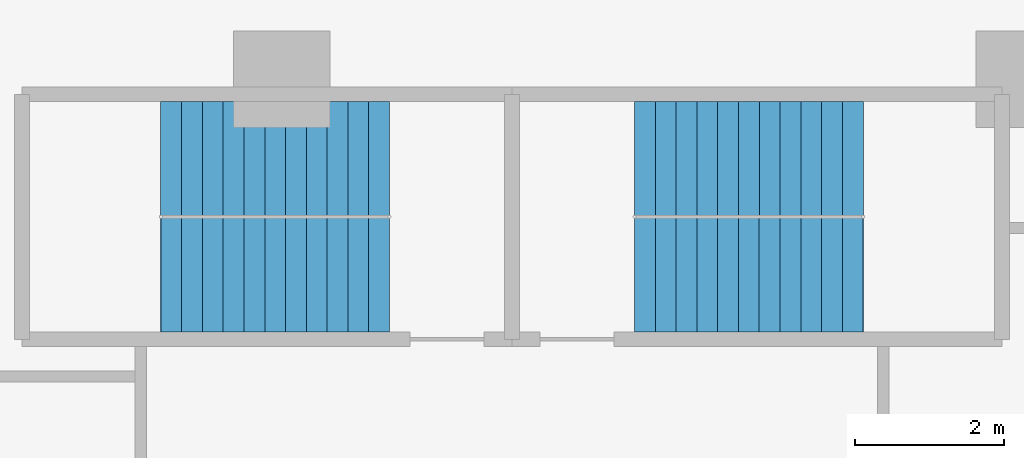
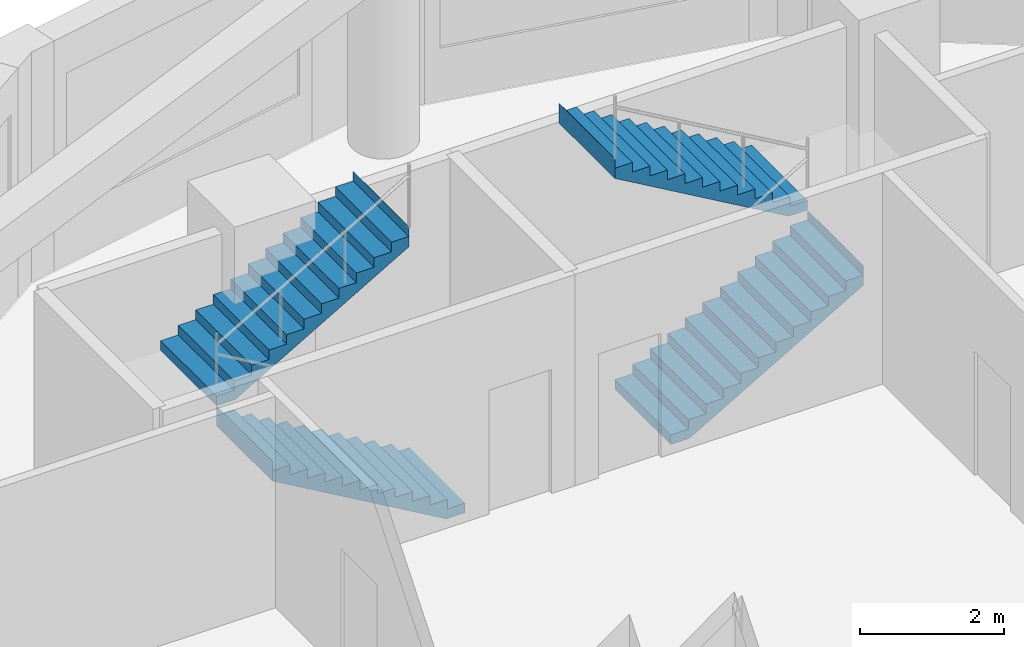
# One storey, part 7 of 9: 4 stair flights, 2 elements without a shape of their own.
"""IFC4 building model written with IfcOpenShell, lengths in metres."""

from ifc_helpers import new_model, si_unit, direction, frame, origin, place, context, subcontext, project, spatial, polyline, outline, extrude, material, type_object, element, aggregate, save


model = new_model("IFC4")

# Units and contexts
model_context = context("Model", 3, precision=1e-05, world=origin(), true_north=direction((0.0, 1.0)))
body_context = subcontext(model_context, "Body", "Model", "MODEL_VIEW")
ifc_project = project(units=[si_unit("LENGTHUNIT", "METRE"), si_unit("AREAUNIT", "SQUARE_METRE"), si_unit("VOLUMEUNIT", "CUBIC_METRE"), si_unit("PLANEANGLEUNIT", "RADIAN"), si_unit("MASSUNIT", "GRAM", prefix="KILO")], contexts=[model_context])

# Site, building, storey
site_placement = place(None, origin())
site = spatial("IfcSite", under=ifc_project, at=site_placement, CompositionType="ELEMENT")
building_placement = place(site_placement, origin())
building = spatial("IfcBuilding", under=site, at=building_placement, Name="Qaws Garden Tower", CompositionType="ELEMENT")
storey_placement = place(building_placement, frame((0.0, 0.0, 198.0)))
storey = spatial("IfcBuildingStorey", under=building, at=storey_placement, Name="L48", CompositionType="ELEMENT", Elevation=198.0)

# Stair, stair flights
ifc_material_1 = material(Name="Concrete C40", Category="concrete")
stair_type = type_object("IfcStairType", Name="Exit stair 1350", PredefinedType="HALF_TURN_STAIR", material=ifc_material_1)
placement = place(storey_placement, origin())
stair_1 = element("IfcStair", 1, at=placement, inside=storey, type_object=stair_type, Name="Stair 6", PredefinedType="HALF_TURN_STAIR")
ifc_material_2 = material(Name="Concrete C40", Category="concrete")
stair_flight_type = type_object("IfcStairFlightType", Name="Stair flight 1350", PredefinedType="STRAIGHT", material=ifc_material_2)
stair_flight_1_placement = place(storey_placement, frame((11.449951171875, 67.375, 0.0), z_axis=(0.0, 0.0, 1.0), x_axis=(-1.0, 0.0, 0.0)))
stair_flight_1 = element("IfcStairFlight", 2, at=stair_flight_1_placement, type_object=stair_flight_type, Name="ST6 flight 1", NumberOfRisers=12, NumberOfTreads=11, PredefinedType="STRAIGHT", RiserHeight=0.1625, TreadLength=0.28, context=body_context, shape_type="SweptSolid", body=[
    extrude(outline(polyline([(-0.0029296875, 0.0), (-0.0029296875, 0.16259765625), (0.0, 0.16259765625), (0.280029296875, 0.16259765625), (0.280029296875, 0.324951171875), (0.56005859375, 0.324951171875), (0.56005859375, 0.487548828125), (0.840087890625, 0.487548828125), (0.840087890625, 0.64990234375), (1.1201171875, 0.64990234375), (1.1201171875, 0.8125), (1.39990234375, 0.8125), (1.39990234375, 0.97509765625), (1.679931640625, 0.97509765625), (1.679931640625, 1.137451171875), (1.9599609375, 1.137451171875), (1.9599609375, 1.300048828125), (2.239990234375, 1.300048828125), (2.239990234375, 1.46240234375), (2.52001953125, 1.46240234375), (2.52001953125, 1.625), (2.800048828125, 1.625), (2.800048828125, 1.78759765625), (3.080078125, 1.78759765625), (3.080078125, 1.949951171875), (3.0830078125, 1.949951171875), (3.0830078125, 1.6142578125), (3.080078125, 1.6142578125), (0.298583984375, 0.0), (-0.0029296875, 0.0)])), frame((0.0, 0.77490234375, 0.0), z_axis=(0.0, -1.0, 0.0), x_axis=(1.0, 0.0, 0.0)), (0.0, 0.0, 1.0), 1.550048828125),
])
stair_flight_2_placement = place(storey_placement, frame((8.3701171875, 68.925048828125, 1.949951171875), z_axis=(0.0, 0.0, 1.0), x_axis=(1.0, 0.0, 0.0)))
stair_flight_2 = element("IfcStairFlight", 3, at=stair_flight_2_placement, type_object=stair_flight_type, Name="ST6 flight 2", NumberOfRisers=12, NumberOfTreads=11, PredefinedType="STRAIGHT", RiserHeight=0.1625, TreadLength=0.28, context=body_context, shape_type="SweptSolid", body=[
    extrude(outline(polyline([(-0.0029296875, 0.0), (-0.0029296875, 0.16259765625), (0.0, 0.16259765625), (0.280029296875, 0.16259765625), (0.280029296875, 0.324951171875), (0.56005859375, 0.324951171875), (0.56005859375, 0.487548828125), (0.840087890625, 0.487548828125), (0.840087890625, 0.64990234375), (1.1201171875, 0.64990234375), (1.1201171875, 0.8125), (1.39990234375, 0.8125), (1.39990234375, 0.97509765625), (1.679931640625, 0.97509765625), (1.679931640625, 1.137451171875), (1.9599609375, 1.137451171875), (1.9599609375, 1.300048828125), (2.239990234375, 1.300048828125), (2.239990234375, 1.46240234375), (2.52001953125, 1.46240234375), (2.52001953125, 1.625), (2.800048828125, 1.625), (2.800048828125, 1.78759765625), (3.080078125, 1.78759765625), (3.080078125, 1.949951171875), (3.0830078125, 1.949951171875), (3.0830078125, 1.6142578125), (3.080078125, 1.6142578125), (0.298583984375, 0.0), (-0.0029296875, 0.0)])), frame((0.0, 0.77490234375, 0.0), z_axis=(0.0, -1.0, 0.0), x_axis=(1.0, 0.0, 0.0)), (0.0, 0.0, 1.0), 1.550048828125),
])
aggregate(stair_1, [stair_flight_1, stair_flight_2])

stair_2 = element("IfcStair", 4, at=placement, inside=storey, type_object=stair_type, Name="Stair 7", PredefinedType="HALF_TURN_STAIR")
stair_flight_3_placement = place(storey_placement, frame((14.75, 67.375, 0.0), z_axis=(0.0, 0.0, 1.0), x_axis=(1.0, 0.0, 0.0)))
stair_flight_3 = element("IfcStairFlight", 5, at=stair_flight_3_placement, type_object=stair_flight_type, Name="ST7 flight 1", NumberOfRisers=12, NumberOfTreads=11, PredefinedType="STRAIGHT", RiserHeight=0.1625, TreadLength=0.28, context=body_context, shape_type="SweptSolid", body=[
    extrude(outline(polyline([(-0.0029296875, 0.0), (-0.0029296875, 0.16259765625), (0.0, 0.16259765625), (0.280029296875, 0.16259765625), (0.280029296875, 0.324951171875), (0.56005859375, 0.324951171875), (0.56005859375, 0.487548828125), (0.840087890625, 0.487548828125), (0.840087890625, 0.64990234375), (1.1201171875, 0.64990234375), (1.1201171875, 0.8125), (1.39990234375, 0.8125), (1.39990234375, 0.97509765625), (1.679931640625, 0.97509765625), (1.679931640625, 1.137451171875), (1.9599609375, 1.137451171875), (1.9599609375, 1.300048828125), (2.239990234375, 1.300048828125), (2.239990234375, 1.46240234375), (2.52001953125, 1.46240234375), (2.52001953125, 1.625), (2.800048828125, 1.625), (2.800048828125, 1.78759765625), (3.080078125, 1.78759765625), (3.080078125, 1.949951171875), (3.0830078125, 1.949951171875), (3.0830078125, 1.6142578125), (3.080078125, 1.6142578125), (0.298583984375, 0.0), (-0.0029296875, 0.0)])), frame((0.0, 0.77490234375, 0.0), z_axis=(0.0, -1.0, 0.0), x_axis=(1.0, 0.0, 0.0)), (0.0, 0.0, 1.0), 1.550048828125),
])
stair_flight_4_placement = place(storey_placement, frame((17.830078125, 68.925048828125, 1.949951171875), z_axis=(0.0, 0.0, 1.0), x_axis=(-1.0, 0.0, 0.0)))
stair_flight_4 = element("IfcStairFlight", 6, at=stair_flight_4_placement, type_object=stair_flight_type, Name="ST7 flight 2", NumberOfRisers=12, NumberOfTreads=11, PredefinedType="STRAIGHT", RiserHeight=0.1625, TreadLength=0.28, context=body_context, shape_type="SweptSolid", body=[
    extrude(outline(polyline([(-0.0029296875, 0.0), (-0.0029296875, 0.16259765625), (0.0, 0.16259765625), (0.280029296875, 0.16259765625), (0.280029296875, 0.324951171875), (0.56005859375, 0.324951171875), (0.56005859375, 0.487548828125), (0.840087890625, 0.487548828125), (0.840087890625, 0.64990234375), (1.1201171875, 0.64990234375), (1.1201171875, 0.8125), (1.39990234375, 0.8125), (1.39990234375, 0.97509765625), (1.679931640625, 0.97509765625), (1.679931640625, 1.137451171875), (1.9599609375, 1.137451171875), (1.9599609375, 1.300048828125), (2.239990234375, 1.300048828125), (2.239990234375, 1.46240234375), (2.52001953125, 1.46240234375), (2.52001953125, 1.625), (2.800048828125, 1.625), (2.800048828125, 1.78759765625), (3.080078125, 1.78759765625), (3.080078125, 1.949951171875), (3.0830078125, 1.949951171875), (3.0830078125, 1.6142578125), (3.080078125, 1.6142578125), (0.298583984375, 0.0), (-0.0029296875, 0.0)])), frame((0.0, 0.77490234375, 0.0), z_axis=(0.0, -1.0, 0.0), x_axis=(1.0, 0.0, 0.0)), (0.0, 0.0, 1.0), 1.550048828125),
])
aggregate(stair_2, [stair_flight_3, stair_flight_4])

save(model, "model.ifc")
